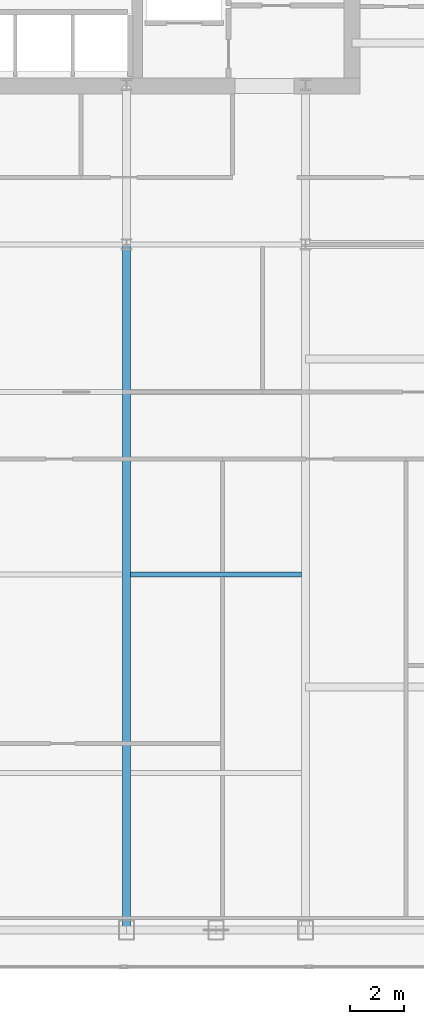
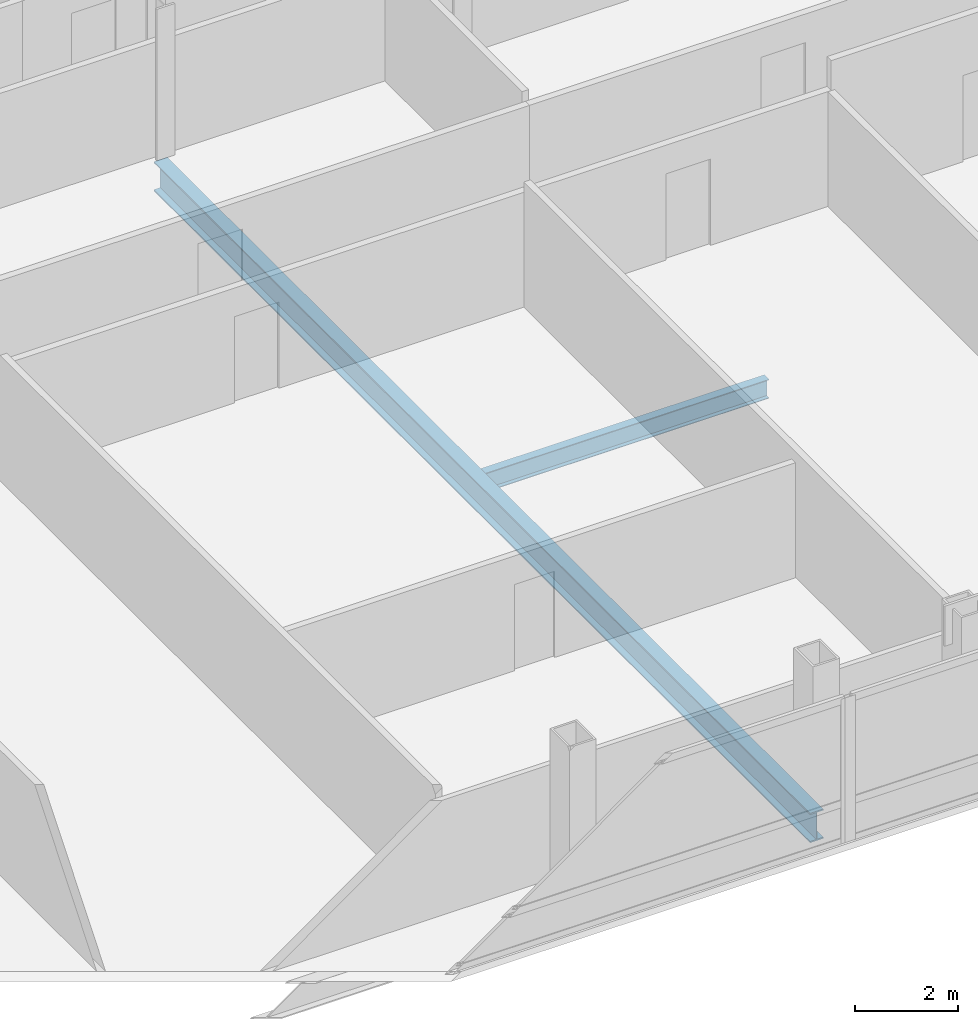
# One storey, part 13 of 30: 2 beams.
"""IFC4 building model written with IfcOpenShell, lengths in metres."""

from ifc_helpers import new_model, si_unit, direction, frame, origin, origin_2d, place, context, subcontext, project, spatial, i_section, extrude, material, material_profile, profile_set, type_object, element, save


model = new_model("IFC4")

# Units and contexts
model_context = context("Model", 3, precision=1e-05, world=origin(), true_north=direction((0.0, 1.0)))
body_context = subcontext(model_context, "Body", "Model", "MODEL_VIEW")
ifc_project = project(units=[si_unit("LENGTHUNIT", "METRE"), si_unit("AREAUNIT", "SQUARE_METRE"), si_unit("VOLUMEUNIT", "CUBIC_METRE"), si_unit("PLANEANGLEUNIT", "RADIAN"), si_unit("MASSUNIT", "GRAM", prefix="KILO")], contexts=[model_context])

# Site, building, storey
site_placement = place(None, origin())
site = spatial("IfcSite", under=ifc_project, at=site_placement, CompositionType="ELEMENT")
building_placement = place(site_placement, origin())
building = spatial("IfcBuilding", under=site, at=building_placement, Name="Khoronbel Lancet Exchange", CompositionType="ELEMENT")
storey_placement = place(building_placement, frame((0.0, 0.0, 206.60009765625)))
storey = spatial("IfcBuildingStorey", under=building, at=storey_placement, Name="L52", CompositionType="ELEMENT", Elevation=206.60009765625)

# Beams
ifc_material = material(Name="Steel S355", Category="steel")
ifc_material_profile_1 = material_profile(ifc_material, i_section(OverallWidth=0.300048828125, OverallDepth=0.699951171875, WebThickness=0.01708984375, FlangeThickness=0.031982421875, at=origin_2d()), Name="HEB 700")
ifc_profile_set_1 = profile_set([ifc_material_profile_1], Name="Steel S355")
beam_type_1 = type_object("IfcBeamType", Name="BM-BG3", PredefinedType="BEAM", material=ifc_profile_set_1)
beam_1_placement = place(storey_placement, frame((48.0, 10.14990234375, -0.510009765625), z_axis=(0.0, 1.0, 0.0), x_axis=(-1.0, 0.0, 0.0)))
element("IfcBeam", 1, at=beam_1_placement, inside=storey, type_object=beam_type_1, Name="Level L52 south primary girder GS5", PredefinedType="BEAM", context=body_context, shape_type="SweptSolid", body=[
    extrude(i_section(OverallWidth=0.300048828125, OverallDepth=0.699951171875, WebThickness=0.01708984375, FlangeThickness=0.031982421875, at=origin_2d()), origin(), (0.0, 0.0, 1.0), 25.550048828125),
])
ifc_material_profile_2 = material_profile(ifc_material, i_section(OverallWidth=0.18994140625, OverallDepth=0.449951171875, WebThickness=0.009521484375, FlangeThickness=0.0146484375, at=origin_2d()), Name="IPE 450")
ifc_profile_set_2 = profile_set([ifc_material_profile_2], Name="Steel S355")
beam_type_2 = type_object("IfcBeamType", Name="BM-BJ4", PredefinedType="JOIST", material=ifc_profile_set_2)
beam_2_placement = place(storey_placement, frame((48.14990234375, 23.39990234375, -0.385009765625), z_axis=(1.0, 0.0, 0.0), x_axis=(0.0, 1.0, 0.0)))
element("IfcBeam", 2, at=beam_2_placement, inside=storey, type_object=beam_type_2, Name="Level L52 secondary composite joist J10", PredefinedType="JOIST", context=body_context, shape_type="SweptSolid", body=[
    extrude(i_section(OverallWidth=0.18994140625, OverallDepth=0.449951171875, WebThickness=0.009521484375, FlangeThickness=0.0146484375, at=origin_2d()), origin(), (0.0, 0.0, 1.0), 6.375),
])

save(model, "model.ifc")
